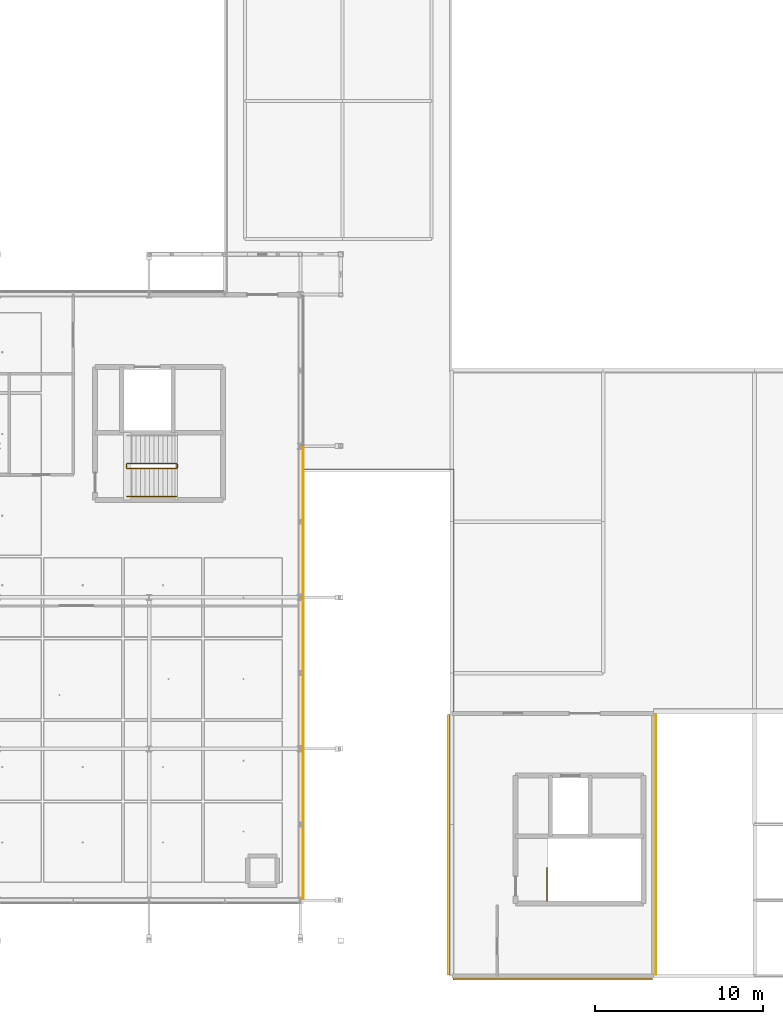
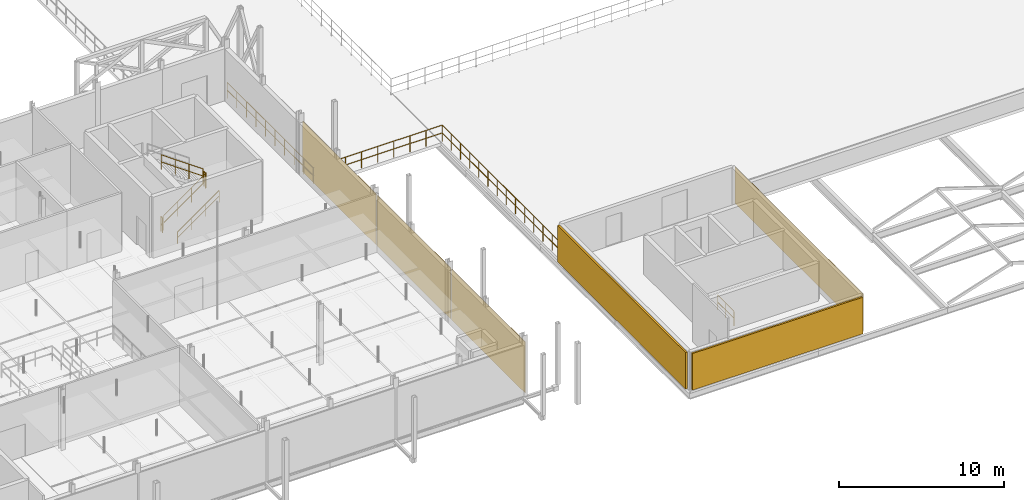
# One storey, part 82 of 89: 7 railings, 6 coverings.
"""IFC4 building model written with IfcOpenShell, lengths in metres."""

from ifc_helpers import new_model, si_unit, direction, frame, origin, origin_2d, place, context, subcontext, project, spatial, rectangle, circle, extrude, material, layer, layer_set, type_object, element, save


model = new_model("IFC4")

# Units and contexts
model_context = context("Model", 3, precision=1e-05, world=origin(), true_north=direction((0.0, 1.0)))
body_context = subcontext(model_context, "Body", "Model", "MODEL_VIEW")
ifc_project = project(units=[si_unit("LENGTHUNIT", "METRE"), si_unit("AREAUNIT", "SQUARE_METRE"), si_unit("VOLUMEUNIT", "CUBIC_METRE"), si_unit("PLANEANGLEUNIT", "RADIAN"), si_unit("MASSUNIT", "GRAM", prefix="KILO"), si_unit("THERMODYNAMICTEMPERATUREUNIT", "KELVIN"), si_unit("POWERUNIT", "WATT")], contexts=[model_context])

# Site, building, storey
site_placement = place(None, origin())
site = spatial("IfcSite", under=ifc_project, at=site_placement, CompositionType="ELEMENT")
building_placement = place(site_placement, origin())
building = spatial("IfcBuilding", under=site, at=building_placement, Name="Tallowbark Science Centre", CompositionType="ELEMENT")
storey_placement = place(building_placement, frame((0.0, 0.0, 14.39990234375)))
storey = spatial("IfcBuildingStorey", under=building, at=storey_placement, Name="L03", CompositionType="ELEMENT", Elevation=14.39990234375)

# Coverings
ifc_material_1 = material(Name="White Architectural Precast Concrete Grade N40 (40 MPa)", Category="concrete")
ifc_layer_1 = layer(ifc_material_1, 0.1201171875)
ifc_layer_set_1 = layer_set([ifc_layer_1], Name="White Architectural Precast Concrete Grade N40 (40 MPa)")
covering_type_1 = type_object("IfcCoveringType", Name="COV-PRC-CLAD", PredefinedType="CLADDING", material=ifc_layer_set_1)
covering_1_placement = place(storey_placement, frame((118.5, -0.18505859375, 0.05029296875), z_axis=(0.0, 0.0, 1.0), x_axis=(1.0, 0.0, 0.0)))
element("IfcCovering", 1, at=covering_1_placement, inside=storey, type_object=covering_type_1, Name="Architectural Rainscreen THT-VST-L03-S", PredefinedType="CLADDING", context=body_context, shape_type="SweptSolid", body=[
    extrude(rectangle(XDim=11.8798828125, YDim=0.1201171875, at=origin_2d()), origin(), (0.0, 0.0, 1.0), 2.699951171875),
])
covering_2_placement = place(storey_placement, frame((112.31494140625, 7.800048828125, 0.05029296875), z_axis=(0.0, 0.0, 1.0), x_axis=(0.0, -1.0, 0.0)))
element("IfcCovering", 2, at=covering_2_placement, inside=storey, type_object=covering_type_1, Name="Architectural Rainscreen THT-VST-L03-W", PredefinedType="CLADDING", context=body_context, shape_type="SweptSolid", body=[
    extrude(rectangle(XDim=15.47998046875, YDim=0.1201171875, at=origin_2d()), origin(), (0.0, 0.0, 1.0), 2.699951171875),
])
ifc_material_2 = material(Name="Vitrified Ochre Terracotta Architectural Rainscreen", Category="masonry")
ifc_layer_2 = layer(ifc_material_2, 0.0380859375)
ifc_layer_set_2 = layer_set([ifc_layer_2], Name="Vitrified Ochre Terracotta Architectural Rainscreen")
covering_type_2 = type_object("IfcCoveringType", Name="COV-TER-CLAD", PredefinedType="CLADDING", material=ifc_layer_set_2)
covering_3_placement = place(storey_placement, frame((124.64404296875, 7.800048828125, 0.05029296875), z_axis=(0.0, 0.0, 1.0), x_axis=(0.0, 1.0, 0.0)))
element("IfcCovering", 3, at=covering_3_placement, inside=storey, type_object=covering_type_2, Name="Architectural Rainscreen THT-VST-L03-E", PredefinedType="CLADDING", context=body_context, shape_type="SweptSolid", body=[
    extrude(rectangle(XDim=15.47998046875, YDim=0.0380859375, at=origin_2d()), origin(), (0.0, 0.0, 1.0), 2.699951171875),
])
ifc_material_3 = material(Name="Spotted Gum Hardwood Architectural Rainscreen", Category="wood")
ifc_layer_3 = layer(ifc_material_3, 0.0419921875)
ifc_layer_set_3 = layer_set([ifc_layer_3], Name="Spotted Gum Hardwood Architectural Rainscreen")
covering_type_3 = type_object("IfcCoveringType", Name="COV-TIM-CLAD", PredefinedType="CLADDING", material=ifc_layer_set_3)
for number, where, z_axis, x_axis, name in (
    (4, (103.66845703125, 9.0, 0.050048828125), (0.0, 0.0, 1.0), (0.0, 1.0, 0.0), "Architectural Rainscreen CUB-E-L03-0"),
    (5, (103.66845703125, 18.0, 0.050048828125), (0.0, 0.0, 1.0), (0.0, 1.0, 0.0), "Architectural Rainscreen CUB-E-L03-1"),
    (6, (103.66845703125, 27.0, 0.050048828125), (0.0, 0.0, 1.0), (0.0, 1.0, 0.0), "Architectural Rainscreen CUB-E-L03-2"),
):
    element("IfcCovering", number, at=place(storey_placement, frame(where, z_axis=z_axis, x_axis=x_axis)), inside=storey, type_object=covering_type_3, Name=name, PredefinedType="CLADDING", context=body_context, shape_type="SweptSolid", body=[
        extrude(rectangle(XDim=8.8798828125, YDim=0.0419921875, at=origin_2d()), origin(), (0.0, 0.0, 1.0), 3.74609375),
    ])

# Railings
ifc_material_4 = material(Name="Galvanised Painted Steel and Laminated Glass Balustrade", Category="steel")
ifc_layer_4 = layer(ifc_material_4, 0.070068359375)
ifc_layer_set_4 = layer_set([ifc_layer_4], Name="Galvanised Painted Steel and Laminated Glass Balustrade")
railing_type_1 = type_object("IfcRailingType", Name="RLG-BAL-1150", PredefinedType="BALUSTRADE", material=ifc_layer_set_4)
railing_1_placement = place(storey_placement, frame((93.2099609375, 30.159912109375, 0.1875)))
element("IfcRailing", 7, at=railing_1_placement, inside=storey, type_object=railing_type_1, Name="L03 ST-03 stair guard 1", PredefinedType="BALUSTRADE", context=body_context, shape_type="SweptSolid", body=[
    extrude(circle(Radius=0.02392578125, at=origin_2d()), frame((0.0, 0.0, 1.076171875), z_axis=(0.816330724661, 0.0, 0.577584753931), x_axis=(0.0, 1.0, 0.0)), (0.0, 0.0, 1.0), 3.57080078125),
    extrude(circle(Radius=0.02392578125, at=origin_2d()), frame((0.0, 0.0, 0.550048828125), z_axis=(0.816330724661, 0.0, 0.577584753931), x_axis=(0.0, 1.0, 0.0)), (0.0, 0.0, 1.0), 3.57080078125),
    extrude(circle(Radius=0.02099609375, at=origin_2d()), origin(), (0.0, 0.0, 1.0), 1.052001953125),
    extrude(circle(Radius=0.02099609375, at=origin_2d()), frame((0.9716796875, 0.0, 0.6875)), (0.0, 0.0, 1.0), 1.052001953125),
    extrude(circle(Radius=0.02099609375, at=origin_2d()), frame((1.943359375, 0.0, 1.375)), (0.0, 0.0, 1.0), 1.052001953125),
    extrude(circle(Radius=0.02099609375, at=origin_2d()), frame((2.9150390625, 0.0, 2.0625)), (0.0, 0.0, 1.0), 1.052001953125),
])
railing_2_placement = place(storey_placement, frame((96.175048828125, 30.2099609375, 2.25)))
element("IfcRailing", 8, at=railing_2_placement, inside=storey, type_object=railing_type_1, Name="L03 ST-03 stair guard 2", PredefinedType="BALUSTRADE", context=body_context, shape_type="SweptSolid", body=[
    extrude(circle(Radius=0.02392578125, at=origin_2d()), frame((0.0, 0.0, 1.076171875), z_axis=(0.0, 1.0, 0.0), x_axis=(-1.0, 0.0, 0.0)), (0.0, 0.0, 1.0), 0.199951171875),
    extrude(circle(Radius=0.02392578125, at=origin_2d()), frame((0.0, 0.0, 0.550048828125), z_axis=(0.0, 1.0, 0.0), x_axis=(-1.0, 0.0, 0.0)), (0.0, 0.0, 1.0), 0.199951171875),
    extrude(circle(Radius=0.02099609375, at=origin_2d()), origin(), (0.0, 0.0, 1.0), 1.052001953125),
    extrude(circle(Radius=0.02099609375, at=origin_2d()), frame((0.0, 0.199951171875, 0.0)), (0.0, 0.0, 1.0), 1.052001953125),
])
railing_3_placement = place(storey_placement, frame((96.125, 30.4599609375, 2.4375)))
element("IfcRailing", 9, at=railing_3_placement, inside=storey, type_object=railing_type_1, Name="L03 ST-03 stair guard 3", PredefinedType="BALUSTRADE", context=body_context, shape_type="SweptSolid", body=[
    extrude(circle(Radius=0.02392578125, at=origin_2d()), frame((0.0, 0.0, 1.076171875), z_axis=(-0.816330724661, 0.0, 0.577584753931), x_axis=(0.0, -1.0, 0.0)), (0.0, 0.0, 1.0), 3.57080078125),
    extrude(circle(Radius=0.02392578125, at=origin_2d()), frame((0.0, 0.0, 0.550048828125), z_axis=(-0.816330724661, 0.0, 0.577584753931), x_axis=(0.0, -1.0, 0.0)), (0.0, 0.0, 1.0), 3.57080078125),
    extrude(circle(Radius=0.02099609375, at=origin_2d()), origin(), (0.0, 0.0, 1.0), 1.052001953125),
    extrude(circle(Radius=0.02099609375, at=origin_2d()), frame((-0.9716796875, 0.0, 0.6875)), (0.0, 0.0, 1.0), 1.052001953125),
    extrude(circle(Radius=0.02099609375, at=origin_2d()), frame((-1.943359375, 0.0, 1.375)), (0.0, 0.0, 1.0), 1.052001953125),
    extrude(circle(Radius=0.02099609375, at=origin_2d()), frame((-2.9150390625, 0.0, 2.0625)), (0.0, 0.0, 1.0), 1.052001953125),
])
railing_4_placement = place(storey_placement, frame((93.159912109375, 30.2099609375, 0.0)))
element("IfcRailing", 10, at=railing_4_placement, inside=storey, type_object=railing_type_1, Name="L03 ST-03 stair guard 4", PredefinedType="BALUSTRADE", context=body_context, shape_type="SweptSolid", body=[
    extrude(circle(Radius=0.02392578125, at=origin_2d()), frame((0.0, 0.0, 1.076171875), z_axis=(0.0, 1.0, 0.0), x_axis=(-1.0, 0.0, 0.0)), (0.0, 0.0, 1.0), 0.199951171875),
    extrude(circle(Radius=0.02392578125, at=origin_2d()), frame((0.0, 0.0, 0.550048828125), z_axis=(0.0, 1.0, 0.0), x_axis=(-1.0, 0.0, 0.0)), (0.0, 0.0, 1.0), 0.199951171875),
    extrude(circle(Radius=0.02099609375, at=origin_2d()), origin(), (0.0, 0.0, 1.0), 1.052001953125),
    extrude(circle(Radius=0.02099609375, at=origin_2d()), frame((0.0, 0.199951171875, 0.0)), (0.0, 0.0, 1.0), 1.052001953125),
])
railing_5_placement = place(storey_placement, frame((118.159912109375, 4.449951171875, 0.0)))
element("IfcRailing", 11, at=railing_5_placement, inside=storey, type_object=railing_type_1, Name="L03 ST-06 top well guard 1", PredefinedType="BALUSTRADE", context=body_context, shape_type="SweptSolid", body=[
    extrude(circle(Radius=0.02392578125, at=origin_2d()), frame((0.0, 0.0, 1.076171875), z_axis=(0.0, 1.0, 0.0), x_axis=(-1.0, 0.0, 0.0)), (0.0, 0.0, 1.0), 1.9599609375),
    extrude(circle(Radius=0.02392578125, at=origin_2d()), frame((0.0, 0.0, 0.550048828125), z_axis=(0.0, 1.0, 0.0), x_axis=(-1.0, 0.0, 0.0)), (0.0, 0.0, 1.0), 1.9599609375),
    extrude(circle(Radius=0.02099609375, at=origin_2d()), origin(), (0.0, 0.0, 1.0), 1.052001953125),
    extrude(circle(Radius=0.02099609375, at=origin_2d()), frame((0.0, 0.97998046875, 0.0)), (0.0, 0.0, 1.0), 1.052001953125),
    extrude(circle(Radius=0.02099609375, at=origin_2d()), frame((0.0, 1.9599609375, 0.0)), (0.0, 0.0, 1.0), 1.052001953125),
])
ifc_material_5 = material(Name="Brushed Grade 316 Stainless Steel Handrail", Category="steel")
ifc_layer_5 = layer(ifc_material_5, 0.050048828125)
ifc_layer_set_5 = layer_set([ifc_layer_5], Name="Brushed Grade 316 Stainless Steel Handrail")
railing_type_2 = type_object("IfcRailingType", Name="RLG-HDR-950", PredefinedType="HANDRAIL", material=ifc_layer_set_5)
railing_6_placement = place(storey_placement, frame((93.2099609375, 28.5, 0.1875)))
element("IfcRailing", 12, at=railing_6_placement, inside=storey, type_object=railing_type_2, Name="L03 ST-03 stair handrail 1", PredefinedType="HANDRAIL", context=body_context, shape_type="SweptSolid", body=[
    extrude(circle(Radius=0.02392578125, at=origin_2d()), frame((0.0, 0.0, 0.8759765625), z_axis=(0.816330724661, 0.0, 0.577584753931), x_axis=(0.0, 1.0, 0.0)), (0.0, 0.0, 1.0), 3.57080078125),
    extrude(circle(Radius=0.02392578125, at=origin_2d()), frame((0.0, 0.0, 0.449951171875), z_axis=(0.816330724661, 0.0, 0.577584753931), x_axis=(0.0, 1.0, 0.0)), (0.0, 0.0, 1.0), 3.57080078125),
    extrude(circle(Radius=0.02099609375, at=origin_2d()), origin(), (0.0, 0.0, 1.0), 0.851806640625),
    extrude(circle(Radius=0.02099609375, at=origin_2d()), frame((0.9716796875, 0.0, 0.6875)), (0.0, 0.0, 1.0), 0.851806640625),
    extrude(circle(Radius=0.02099609375, at=origin_2d()), frame((1.943359375, 0.0, 1.375)), (0.0, 0.0, 1.0), 0.851806640625),
    extrude(circle(Radius=0.02099609375, at=origin_2d()), frame((2.9150390625, 0.0, 2.0625)), (0.0, 0.0, 1.0), 0.851806640625),
])
ifc_material_6 = material(Name="Architectural Steel Post-and-Rail Terrace Guard", Category="steel")
ifc_layer_6 = layer(ifc_material_6, 0.080078125)
ifc_layer_set_6 = layer_set([ifc_layer_6], Name="Architectural Steel Post-and-Rail Terrace Guard")
railing_type_3 = type_object("IfcRailingType", Name="RLG-TER-1200", PredefinedType="GUARDRAIL", material=ifc_layer_set_6)
railing_7_placement = place(storey_placement, frame((103.6201171875, 40.5, 0.0)))
element("IfcRailing", 13, at=railing_7_placement, inside=storey, type_object=railing_type_3, Name="Guardrail GD-TRG-L03-1E", PredefinedType="GUARDRAIL", context=body_context, shape_type="SweptSolid", body=[
    extrude(circle(Radius=0.02392578125, at=origin_2d()), frame((0.0, 0.0, 1.17578125), z_axis=(0.0, -1.0, 0.0), x_axis=(1.0, 0.0, 0.0)), (0.0, 0.0, 1.0), 10.3798828125),
    extrude(circle(Radius=0.02392578125, at=origin_2d()), frame((0.0, 0.0, 0.60009765625), z_axis=(0.0, -1.0, 0.0), x_axis=(1.0, 0.0, 0.0)), (0.0, 0.0, 1.0), 10.3798828125),
    extrude(circle(Radius=0.02392578125, at=origin_2d()), frame((0.0, -10.3798828125, 1.17578125), z_axis=(1.0, 0.0, 0.0), x_axis=(0.0, 1.0, 0.0)), (0.0, 0.0, 1.0), 9.0),
    extrude(circle(Radius=0.02392578125, at=origin_2d()), frame((0.0, -10.3798828125, 0.60009765625), z_axis=(1.0, 0.0, 0.0), x_axis=(0.0, 1.0, 0.0)), (0.0, 0.0, 1.0), 9.0),
    extrude(circle(Radius=0.02392578125, at=origin_2d()), frame((9.0, -10.3798828125, 1.17578125), z_axis=(0.0, -1.0, 0.0), x_axis=(1.0, 0.0, 0.0)), (0.0, 0.0, 1.0), 14.400146484375),
    extrude(circle(Radius=0.02392578125, at=origin_2d()), frame((9.0, -10.3798828125, 0.60009765625), z_axis=(0.0, -1.0, 0.0), x_axis=(1.0, 0.0, 0.0)), (0.0, 0.0, 1.0), 14.400146484375),
    extrude(circle(Radius=0.02099609375, at=origin_2d()), origin(), (0.0, 0.0, 1.0), 1.15185546875),
    extrude(circle(Radius=0.02099609375, at=origin_2d()), frame((0.0, -1.1533203125, 0.0)), (0.0, 0.0, 1.0), 1.15185546875),
    extrude(circle(Radius=0.02099609375, at=origin_2d()), frame((0.0, -2.306640625, 0.0)), (0.0, 0.0, 1.0), 1.15185546875),
    extrude(circle(Radius=0.02099609375, at=origin_2d()), frame((0.0, -3.4599609375, 0.0)), (0.0, 0.0, 1.0), 1.15185546875),
    extrude(circle(Radius=0.02099609375, at=origin_2d()), frame((0.0, -4.61328125, 0.0)), (0.0, 0.0, 1.0), 1.15185546875),
    extrude(circle(Radius=0.02099609375, at=origin_2d()), frame((0.0, -5.7666015625, 0.0)), (0.0, 0.0, 1.0), 1.15185546875),
    extrude(circle(Radius=0.02099609375, at=origin_2d()), frame((0.0, -6.919921875, 0.0)), (0.0, 0.0, 1.0), 1.15185546875),
    extrude(circle(Radius=0.02099609375, at=origin_2d()), frame((0.0, -8.0732421875, 0.0)), (0.0, 0.0, 1.0), 1.15185546875),
    extrude(circle(Radius=0.02099609375, at=origin_2d()), frame((0.0, -9.2265625, 0.0)), (0.0, 0.0, 1.0), 1.15185546875),
    extrude(circle(Radius=0.02099609375, at=origin_2d()), frame((0.0, -10.3798828125, 0.0)), (0.0, 0.0, 1.0), 1.15185546875),
    extrude(circle(Radius=0.02099609375, at=origin_2d()), frame((1.125, -10.3798828125, 0.0)), (0.0, 0.0, 1.0), 1.15185546875),
    extrude(circle(Radius=0.02099609375, at=origin_2d()), frame((2.25, -10.3798828125, 0.0)), (0.0, 0.0, 1.0), 1.15185546875),
    extrude(circle(Radius=0.02099609375, at=origin_2d()), frame((3.375, -10.3798828125, 0.0)), (0.0, 0.0, 1.0), 1.15185546875),
    extrude(circle(Radius=0.02099609375, at=origin_2d()), frame((4.5, -10.3798828125, 0.0)), (0.0, 0.0, 1.0), 1.15185546875),
    extrude(circle(Radius=0.02099609375, at=origin_2d()), frame((5.625, -10.3798828125, 0.0)), (0.0, 0.0, 1.0), 1.15185546875),
    extrude(circle(Radius=0.02099609375, at=origin_2d()), frame((6.75, -10.3798828125, 0.0)), (0.0, 0.0, 1.0), 1.15185546875),
    extrude(circle(Radius=0.02099609375, at=origin_2d()), frame((7.875, -10.3798828125, 0.0)), (0.0, 0.0, 1.0), 1.15185546875),
    extrude(circle(Radius=0.02099609375, at=origin_2d()), frame((9.0, -10.3798828125, 0.0)), (0.0, 0.0, 1.0), 1.15185546875),
    extrude(circle(Radius=0.02099609375, at=origin_2d()), frame((9.0, -11.487548828125, 0.0)), (0.0, 0.0, 1.0), 1.15185546875),
    extrude(circle(Radius=0.02099609375, at=origin_2d()), frame((9.0, -12.59521484375, 0.0)), (0.0, 0.0, 1.0), 1.15185546875),
    extrude(circle(Radius=0.02099609375, at=origin_2d()), frame((9.0, -13.702880859375, 0.0)), (0.0, 0.0, 1.0), 1.15185546875),
    extrude(circle(Radius=0.02099609375, at=origin_2d()), frame((9.0, -14.810791015625, 0.0)), (0.0, 0.0, 1.0), 1.15185546875),
    extrude(circle(Radius=0.02099609375, at=origin_2d()), frame((9.0, -15.91845703125, 0.0)), (0.0, 0.0, 1.0), 1.15185546875),
    extrude(circle(Radius=0.02099609375, at=origin_2d()), frame((9.0, -17.026123046875, 0.0)), (0.0, 0.0, 1.0), 1.15185546875),
    extrude(circle(Radius=0.02099609375, at=origin_2d()), frame((9.0, -18.1337890625, 0.0)), (0.0, 0.0, 1.0), 1.15185546875),
    extrude(circle(Radius=0.02099609375, at=origin_2d()), frame((9.0, -19.241455078125, 0.0)), (0.0, 0.0, 1.0), 1.15185546875),
    extrude(circle(Radius=0.02099609375, at=origin_2d()), frame((9.0, -20.34912109375, 0.0)), (0.0, 0.0, 1.0), 1.15185546875),
    extrude(circle(Radius=0.02099609375, at=origin_2d()), frame((9.0, -21.45703125, 0.0)), (0.0, 0.0, 1.0), 1.15185546875),
    extrude(circle(Radius=0.02099609375, at=origin_2d()), frame((9.0, -22.564697265625, 0.0)), (0.0, 0.0, 1.0), 1.15185546875),
    extrude(circle(Radius=0.02099609375, at=origin_2d()), frame((9.0, -23.67236328125, 0.0)), (0.0, 0.0, 1.0), 1.15185546875),
    extrude(circle(Radius=0.02099609375, at=origin_2d()), frame((9.0, -24.780029296875, 0.0)), (0.0, 0.0, 1.0), 1.15185546875),
])

save(model, "model.ifc")
